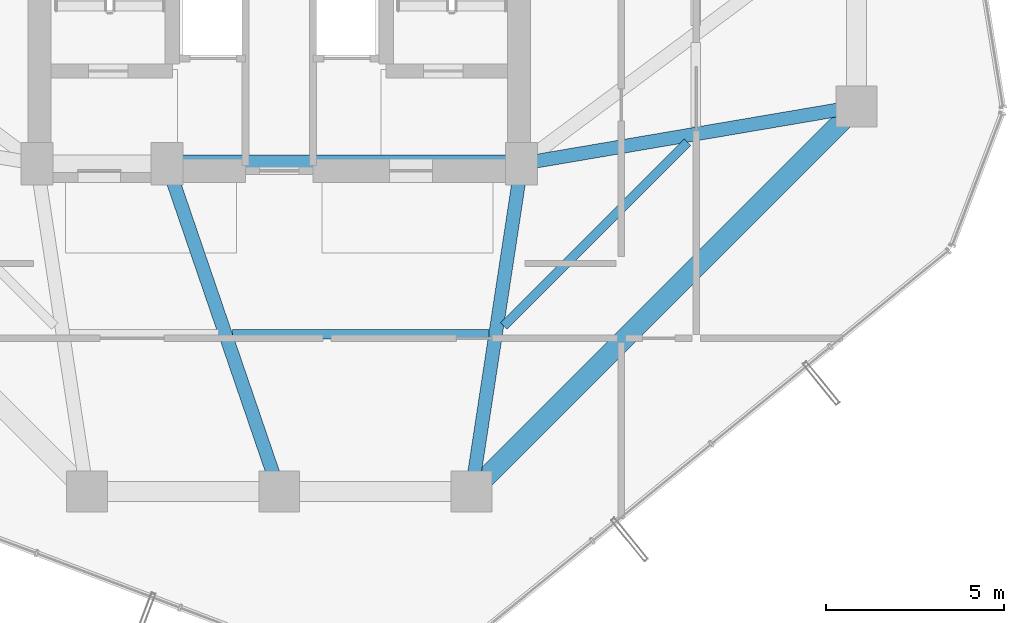
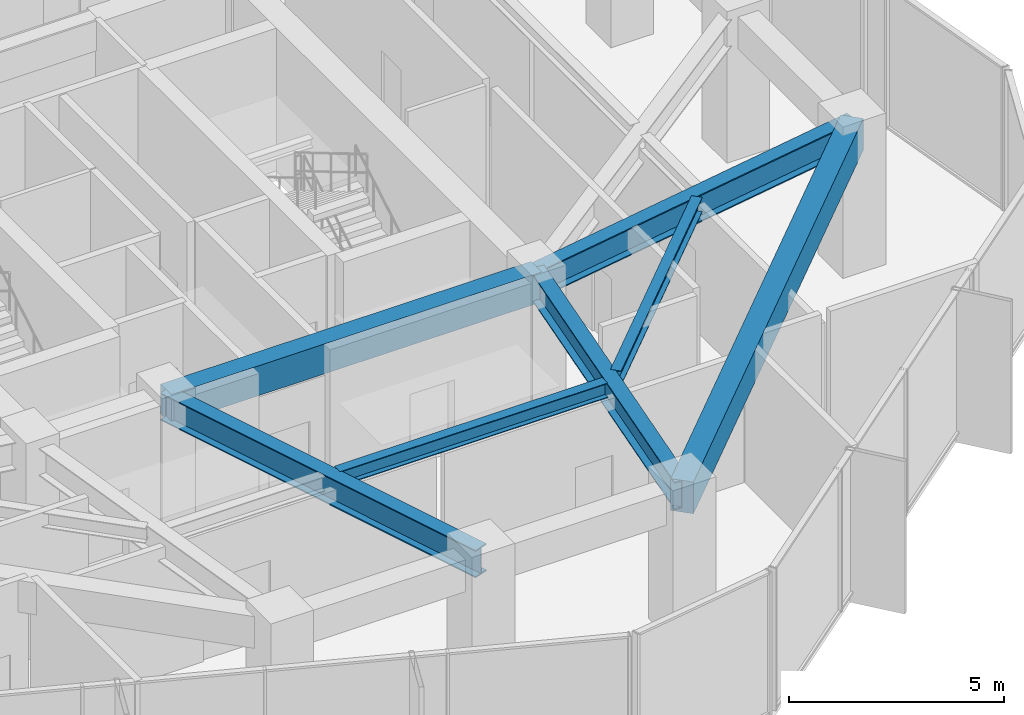
# One storey, part 7 of 26: 7 beams.
"""IFC4 building model written with IfcOpenShell, lengths in metres."""

import ifcopenshell
import ifcopenshell.guid

model = None  # the IFC model being written
_history = None  # IfcOwnerHistory: only IFC2X3 demands one
_inside = {}  # id of a spatial element -> (the spatial element, [elements in it])
_under = {}  # id of a project, library or spatial element -> (it, [spatial elements below it])
_declared = {}  # id of a project -> (the project, [libraries it declares])
_typed = {}  # id of a type object -> (the type object, [elements of that type])
_made_of = {}  # id of a material, layer set ... -> (it, [elements and type objects made of it])


def new_model(schema):
    """Start an empty IFC model of exactly this schema.

    Asked for "IFC4X3", IfcOpenShell would pick the latest addendum, in which some entities
    have other attributes; the version numbers below select the first issue.
    IFC2X3 requires an IfcOwnerHistory on every rooted entity: one is made here for all.
    """
    global model, _history
    if schema == "IFC4X3":
        model = ifcopenshell.file(schema_version=(4, 3, 0, 0))
    else:
        model = ifcopenshell.file(schema=schema)
    _inside.clear()
    _under.clear()
    _declared.clear()
    _typed.clear()
    _made_of.clear()
    _history = None
    if model.schema == "IFC2X3":
        org = make("IfcOrganization", Name="unknown")
        user = make(
            "IfcPersonAndOrganization",
            ThePerson=make("IfcPerson", FamilyName="unknown"),
            TheOrganization=org,
        )
        app = make(
            "IfcApplication",
            ApplicationDeveloper=org,
            Version="unknown",
            ApplicationFullName="unknown",
            ApplicationIdentifier="unknown",
        )
        _history = make(
            "IfcOwnerHistory",
            OwningUser=user,
            OwningApplication=app,
            ChangeAction="ADDED",
            CreationDate=0,
        )
    return model


def make(cls, **values):
    """One entity of the class cls with the attributes given. An attribute that is None is left unset."""
    return model.create_entity(
        cls, **{name: value for name, value in values.items() if value is not None}
    )


def rooted(cls, **values):
    """An entity with a GlobalId (a new one), such as an element, a storey or a relation."""
    return make(cls, GlobalId=ifcopenshell.guid.new(), OwnerHistory=_history, **values)


def si_unit(unit_type, name, prefix=None):
    """IfcSIUnit, for example si_unit("LENGTHUNIT", "METRE", prefix="MILLI")."""
    return make("IfcSIUnit", UnitType=unit_type, Prefix=prefix, Name=name)


def assignment(units):
    """IfcUnitAssignment: the units of a project."""
    return None if units is None else make("IfcUnitAssignment", Units=units)


def point(xyz):
    """IfcCartesianPoint."""
    return None if xyz is None else make("IfcCartesianPoint", Coordinates=xyz)


def direction(xyz):
    """IfcDirection."""
    return None if xyz is None else make("IfcDirection", DirectionRatios=xyz)


def frame(location, z_axis=None, x_axis=None):
    """IfcAxis2Placement3D, a coordinate frame: its origin and axes. An axis left out is left unset."""
    return make(
        "IfcAxis2Placement3D",
        Location=point(location),
        Axis=direction(z_axis),
        RefDirection=direction(x_axis),
    )


def frame_2d(location, x_axis=None):
    """IfcAxis2Placement2D, a coordinate frame in the plane: its origin and x axis."""
    return make(
        "IfcAxis2Placement2D", Location=point(location), RefDirection=direction(x_axis)
    )


def origin():
    """The frame at (0, 0, 0) with its axes left unset."""
    return frame((0.0, 0.0, 0.0))


def origin_2d():
    """The frame at (0, 0) in the plane with its x axis left unset."""
    return frame_2d((0.0, 0.0))


def place(relative_to, where):
    """IfcLocalPlacement: puts the frame where relative to a parent placement (None: the world)."""
    return make(
        "IfcLocalPlacement", PlacementRelTo=relative_to, RelativePlacement=where
    )


def context(
    kind, dimensions, precision=None, world=None, true_north=None, identifier=None
):
    """IfcGeometricRepresentationContext, for example the 3D "Model" context."""
    return make(
        "IfcGeometricRepresentationContext",
        ContextIdentifier=identifier,
        ContextType=kind,
        CoordinateSpaceDimension=dimensions,
        Precision=precision,
        WorldCoordinateSystem=world,
        TrueNorth=true_north,
    )


def subcontext(parent, identifier, kind, view, scale=None):
    """IfcGeometricRepresentationSubContext, for example "Body" below "Model"."""
    return make(
        "IfcGeometricRepresentationSubContext",
        ContextIdentifier=identifier,
        ContextType=kind,
        ParentContext=parent,
        TargetScale=scale,
        TargetView=view,
    )


def project(units=None, contexts=None):
    """IfcProject with its units and contexts."""
    return rooted(
        "IfcProject",
        Name="project",
        RepresentationContexts=contexts,
        UnitsInContext=assignment(units),
    )


def spatial(cls, under=None, at=None, **own):
    """A site, building, storey or space (cls), placed at a placement, below another one or the project."""
    s = rooted(cls, ObjectPlacement=at, **own)
    if under is not None:
        _under.setdefault(under.id(), (under, []))[1].append(s)
    return s


def profile(cls, at=None, kind="AREA", **sizes):
    """A parametric profile (cls). Its sizes go by their IFC names, for example OverallWidth=200.0."""
    return make(cls, ProfileType=kind, Position=at, **sizes)


def rectangle(**sizes):
    """IfcRectangleProfileDef."""
    return profile("IfcRectangleProfileDef", **sizes)


def i_section(**sizes):
    """IfcIShapeProfileDef."""
    return profile("IfcIShapeProfileDef", **sizes)


def extrude(swept, where, along, depth):
    """IfcExtrudedAreaSolid: the profile swept, set in the frame where, extruded along a direction by depth."""
    return make(
        "IfcExtrudedAreaSolid",
        SweptArea=swept,
        Position=where,
        ExtrudedDirection=direction(along),
        Depth=depth,
    )


def shape(context_of_items, identifier, shape_type, items):
    """IfcShapeRepresentation: the items that make up one representation, for example the "Body"."""
    return make(
        "IfcShapeRepresentation",
        ContextOfItems=context_of_items,
        RepresentationIdentifier=identifier,
        RepresentationType=shape_type,
        Items=items,
    )


def material(Name=None, Category=None):
    """IfcMaterial."""
    return make("IfcMaterial", Name=Name, Category=Category)


def material_profile(
    of_material, cross_section, Name=None, Category=None, Priority=None
):
    """IfcMaterialProfile: a cross section and its material."""
    return make(
        "IfcMaterialProfile",
        Name=Name,
        Material=of_material,
        Profile=cross_section,
        Priority=Priority,
        Category=Category,
    )


def profile_set(profiles, Name=None, composite=None):
    """IfcMaterialProfileSet."""
    return make(
        "IfcMaterialProfileSet",
        Name=Name,
        MaterialProfiles=profiles,
        CompositeProfile=composite,
    )


def made_of(thing, what):
    """Note that an element or type object is made of a material, layer set ...; save() writes the relation."""
    if what is not None:
        _made_of.setdefault(what.id(), (what, []))[1].append(thing)
    return thing


def type_object(cls, material=None, **own):
    """A type object (cls), such as IfcWallType, which elements share."""
    return made_of(rooted(cls, **own), material)


def element(
    cls,
    number,
    at=None,
    inside=None,
    cuts=None,
    type_object=None,
    material=None,
    context=None,
    identifier="Body",
    shape_type=None,
    held_by="IfcProductDefinitionShape",
    body=None,
    shapes=None,
    **own,
):
    """One element of the class cls, such as IfcWall. Its Tag is "e" and its number.

    at: its placement. inside: the storey or other place that contains it. cuts: it is an
    opening in that element (IfcRelVoidsElement). A single representation is given by context,
    identifier, shape_type and body (its items); several are given by shapes. held_by: the class
    of the entity that holds the representations. save() writes the other relations.
    """
    e = rooted(cls, Tag="e%d" % number, ObjectPlacement=at, **own)
    if body is not None:
        shapes = [shape(context, identifier, shape_type, body)]
    if shapes is not None:
        e.Representation = make(held_by, Representations=shapes)
    if inside is not None:
        _inside.setdefault(inside.id(), (inside, []))[1].append(e)
    if cuts is not None:
        rooted(
            "IfcRelVoidsElement", RelatingBuildingElement=cuts, RelatedOpeningElement=e
        )
    if type_object is not None:
        _typed.setdefault(type_object.id(), (type_object, []))[1].append(e)
    return made_of(e, material)


def aggregate(whole, parts):
    """IfcRelAggregates: a whole, such as a stair, and the parts it consists of."""
    return rooted("IfcRelAggregates", RelatingObject=whole, RelatedObjects=parts)


def save(model, path):
    """Write the relations noted so far, then the file.

    IfcRelAggregates (storeys below a building ...), IfcRelContainedInSpatialStructure (elements
    in a storey), IfcRelDefinesByType, IfcRelAssociatesMaterial and IfcRelDeclares: one each for
    every whole, place, type object, material and project.
    """
    for whole, parts in _under.values():
        aggregate(whole, parts)
    for where, things in _inside.values():
        rooted(
            "IfcRelContainedInSpatialStructure",
            RelatedElements=things,
            RelatingStructure=where,
        )
    for kind, things in _typed.values():
        rooted("IfcRelDefinesByType", RelatedObjects=things, RelatingType=kind)
    for what, things in _made_of.values():
        rooted("IfcRelAssociatesMaterial", RelatedObjects=things, RelatingMaterial=what)
    for by, libraries in _declared.values():
        rooted("IfcRelDeclares", RelatingContext=by, RelatedDefinitions=libraries)
    model.write(path)


model = new_model("IFC4")

# Units and contexts
model_context = context("Model", 3, precision=1e-05, world=origin(), true_north=direction((0.0, 1.0)))
body_context = subcontext(model_context, "Body", "Model", "MODEL_VIEW")
ifc_project = project(units=[si_unit("LENGTHUNIT", "METRE"), si_unit("AREAUNIT", "SQUARE_METRE"), si_unit("VOLUMEUNIT", "CUBIC_METRE"), si_unit("PLANEANGLEUNIT", "RADIAN"), si_unit("MASSUNIT", "GRAM", prefix="KILO")], contexts=[model_context])

# Site, building, storey
site_placement = place(None, origin())
site = spatial("IfcSite", under=ifc_project, at=site_placement, CompositionType="ELEMENT")
building_placement = place(site_placement, origin())
building = spatial("IfcBuilding", under=site, at=building_placement, Name="Veraguas Prism Commons", CompositionType="ELEMENT")
storey_placement = place(building_placement, frame((0.0, 0.0, 158.75)))
storey = spatial("IfcBuildingStorey", under=building, at=storey_placement, Name="L45", CompositionType="ELEMENT", Elevation=158.75)

# Beams
ifc_material_1 = material(Name="Steel ASTM A992 Grade 50", Category="steel")
ifc_material_profile_1 = material_profile(ifc_material_1, i_section(OverallWidth=0.382080078125, OverallDepth=0.779052734375, WebThickness=0.01806640625, FlangeThickness=0.030029296875, at=origin_2d()), Name="W760X284")
ifc_profile_set_1 = profile_set([ifc_material_profile_1], Name="Steel ASTM A992 Grade 50")
beam_type_1 = type_object("IfcBeamType", Name="Assembly Primary Girder W760x284", PredefinedType="BEAM", material=ifc_profile_set_1)
beam_1_placement = place(storey_placement, frame((40.199951171875, 18.60009765625, 3.660400390625), z_axis=(-0.985819187151, -0.1678109956, 0.0), x_axis=(0.1678109956, -0.985819187151, 0.0)))
element("IfcBeam", 1, at=beam_1_placement, inside=storey, type_object=beam_type_1, Name="Radial Floor Girder L45-RD01", PredefinedType="BEAM", context=body_context, shape_type="SweptSolid", body=[
    extrude(i_section(OverallWidth=0.382080078125, OverallDepth=0.779052734375, WebThickness=0.01806640625, FlangeThickness=0.030029296875, at=origin_2d()), origin(), (0.0, 0.0, 1.0), 9.53515625),
])
beam_2_placement = place(storey_placement, frame((24.0, 7.800048828125, 3.660400390625), z_axis=(-0.323922482989, 0.946083624747, 0.0), x_axis=(-0.946083624747, -0.323922482989, 0.0)))
element("IfcBeam", 2, at=beam_2_placement, inside=storey, type_object=beam_type_1, Name="Radial Floor Girder L45-RD11", PredefinedType="BEAM", context=body_context, shape_type="SweptSolid", body=[
    extrude(i_section(OverallWidth=0.382080078125, OverallDepth=0.779052734375, WebThickness=0.01806640625, FlangeThickness=0.030029296875, at=origin_2d()), origin(), (0.0, 0.0, 1.0), 9.724365234375),
])
beam_3_placement = place(storey_placement, frame((29.39990234375, 7.800048828125, 3.660400390625), z_axis=(0.150458162136, 0.98861637729, 0.0), x_axis=(-0.98861637729, 0.150458162136, 0.0)))
element("IfcBeam", 3, at=beam_3_placement, inside=storey, type_object=beam_type_1, Name="Radial Floor Girder L45-RD12", PredefinedType="BEAM", context=body_context, shape_type="SweptSolid", body=[
    extrude(i_section(OverallWidth=0.382080078125, OverallDepth=0.779052734375, WebThickness=0.01806640625, FlangeThickness=0.030029296875, at=origin_2d()), origin(), (0.0, 0.0, 1.0), 9.305908203125),
])
ifc_material_2 = material(Name="Concrete C50/60", Category="concrete")
ifc_material_profile_2 = material_profile(ifc_material_2, rectangle(XDim=0.5, YDim=0.85009765625, at=origin_2d()), Name="RC500X850")
ifc_profile_set_2 = profile_set([ifc_material_profile_2], Name="Concrete C50/60")
beam_type_2 = type_object("IfcBeamType", Name="Core Coupling Beam RC 500x850", PredefinedType="BEAM", material=ifc_profile_set_2)
beam_4_placement = place(storey_placement, frame((20.85009765625, 17.0, 3.625), z_axis=(1.0, 0.0, 0.0), x_axis=(0.0, 1.0, 0.0)))
element("IfcBeam", 4, at=beam_4_placement, inside=storey, type_object=beam_type_2, Name="Core Coupling Beam L45-CRS2", PredefinedType="BEAM", context=body_context, shape_type="SweptSolid", body=[
    extrude(rectangle(XDim=0.5, YDim=0.85009765625, at=origin_2d()), origin(), (0.0, 0.0, 1.0), 9.949951171875),
])
ifc_material_profile_3 = material_profile(ifc_material_1, i_section(OverallWidth=0.260986328125, OverallDepth=0.419921875, WebThickness=0.01171875, FlangeThickness=0.019287109375, at=origin_2d()), Name="W410X114")
ifc_profile_set_3 = profile_set([ifc_material_profile_3], Name="Steel ASTM A992 Grade 50")
beam_type_3 = type_object("IfcBeamType", Name="Lower Floor Joist W410x114", PredefinedType="JOIST", material=ifc_profile_set_3)
beam_5_placement = place(storey_placement, frame((22.687744140625, 12.216064453125, 3.840087890625), z_axis=(1.0, 0.0, 0.0), x_axis=(0.0, 1.0, 0.0)))
element("IfcBeam", 5, at=beam_5_placement, inside=storey, type_object=beam_type_3, Name="Composite Floor Joist L45-JS11", PredefinedType="JOIST", context=body_context, shape_type="SweptSolid", body=[
    extrude(i_section(OverallWidth=0.260986328125, OverallDepth=0.419921875, WebThickness=0.01171875, FlangeThickness=0.019287109375, at=origin_2d()), origin(), (0.0, 0.0, 1.0), 7.193115234375),
])
beam_6_placement = place(storey_placement, frame((30.297607421875, 12.44140625, 3.840087890625), z_axis=(0.707090051465, 0.707123510512, 0.0), x_axis=(-0.707123510512, 0.707090051465, 0.0)))
element("IfcBeam", 6, at=beam_6_placement, inside=storey, type_object=beam_type_3, Name="Composite Floor Joist L45-JS12", PredefinedType="JOIST", context=body_context, shape_type="SweptSolid", body=[
    extrude(i_section(OverallWidth=0.260986328125, OverallDepth=0.419921875, WebThickness=0.01171875, FlangeThickness=0.019287109375, at=origin_2d()), origin(), (0.0, 0.0, 1.0), 7.296630859375),
])
ifc_material_profile_4 = material_profile(ifc_material_2, rectangle(XDim=0.550048828125, YDim=0.89990234375, at=origin_2d()), Name="RC550X900")
ifc_profile_set_4 = profile_set([ifc_material_profile_4], Name="Concrete C50/60")
beam_type_4 = type_object("IfcBeamType", Name="Perimeter Spandrel Lower RC 550x900", PredefinedType="SPANDREL", material=ifc_profile_set_4)
beam_7_placement = place(storey_placement, frame((29.39990234375, 7.800048828125, 3.60009765625), z_axis=(0.707106781187, 0.707106781187, 0.0), x_axis=(-0.707106781187, 0.707106781187, 0.0)))
element("IfcBeam", 7, at=beam_7_placement, inside=storey, type_object=beam_type_4, Name="Perimeter Spandrel Beam L45-SP12", PredefinedType="SPANDREL", context=body_context, shape_type="SweptSolid", body=[
    extrude(rectangle(XDim=0.550048828125, YDim=0.89990234375, at=origin_2d()), origin(), (0.0, 0.0, 1.0), 15.273681640625),
])

save(model, "model.ifc")
